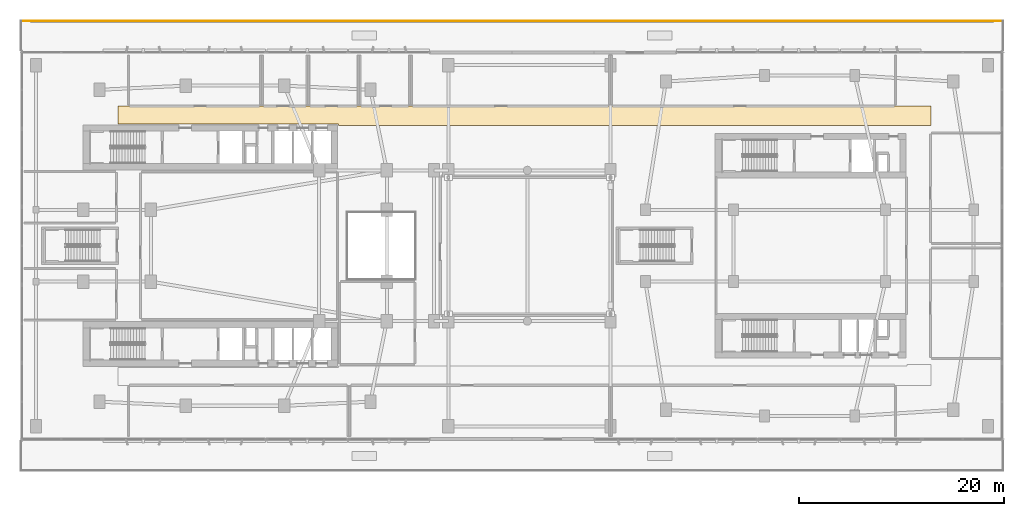
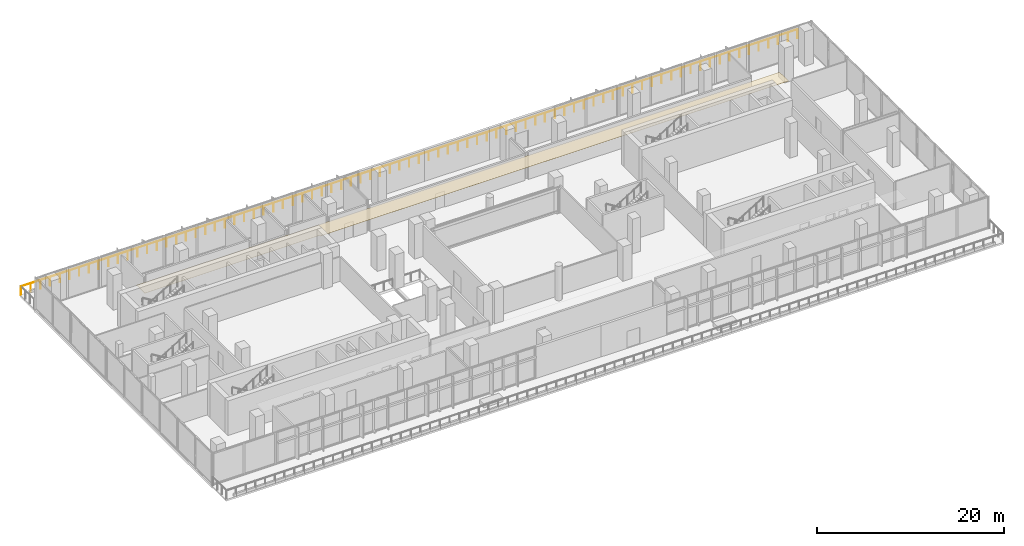
# One storey, part 27 of 31: 1 covering, 1 railing.
"""IFC4 building model written with IfcOpenShell, lengths in metres."""

from ifc_helpers import new_model, si_unit, derived_unit, direction, frame, origin, origin_2d, place, context, subcontext, project, spatial, polyline, circle, outline, extrude, material, layer, layer_set, type_object, element, save


model = new_model("IFC4")

# Units and contexts
model_context = context("Model", 3, precision=1e-05, world=origin(), true_north=direction((0.0, 1.0)))
body_context = subcontext(model_context, "Body", "Model", "MODEL_VIEW")
ifc_project = project(units=[si_unit("LENGTHUNIT", "METRE"), si_unit("AREAUNIT", "SQUARE_METRE"), si_unit("VOLUMEUNIT", "CUBIC_METRE"), si_unit("PLANEANGLEUNIT", "RADIAN"), si_unit("MASSUNIT", "GRAM", prefix="KILO"), derived_unit("THERMALTRANSMITTANCEUNIT", [(si_unit("POWERUNIT", "WATT"), 1), (si_unit("LENGTHUNIT", "METRE"), -2), (si_unit("THERMODYNAMICTEMPERATUREUNIT", "KELVIN"), -1)])], contexts=[model_context])

# Site, building, storey
site_placement = place(None, origin())
site = spatial("IfcSite", under=ifc_project, at=site_placement, CompositionType="ELEMENT")
building_placement = place(site_placement, origin())
building = spatial("IfcBuilding", under=site, at=building_placement, Name="Kivonza Crest Hotel", CompositionType="ELEMENT")
storey_placement = place(building_placement, frame((0.0, 0.0, 15.0)))
storey = spatial("IfcBuildingStorey", under=building, at=storey_placement, Name="L03", CompositionType="ELEMENT", Elevation=15.0)

# Covering
ifc_material_1 = material(Name="Mineral-fibre acoustic ceiling tile", Category="gypsum")
ifc_layer = layer(ifc_material_1, 0.02490234375)
ifc_layer_set = layer_set([ifc_layer], Name="Mineral-fibre acoustic ceiling tile")
covering_type = type_object("IfcCoveringType", Name="CV-CEIL-ACOU", PredefinedType="CEILING", material=ifc_layer_set)
covering_placement = place(storey_placement, frame((0.0, 0.0, 3.0)))
element("IfcCovering", 1, at=covering_placement, inside=storey, type_object=covering_type, Name="L03 L03 North and West Podium Corridor suspended ceiling", PredefinedType="CEILING", context=body_context, shape_type="SweptSolid", body=[
    extrude(outline(polyline([(88.840087890625, 38.639892578125), (9.610107421875, 38.639892578125), (9.610107421875, 36.860107421875), (31.10009765625, 36.860107421875), (31.10009765625, 36.719970703125), (88.840087890625, 36.719970703125), (88.840087890625, 38.639892578125)])), origin(), (0.0, 0.0, 1.0), 0.02490234375),
])

# Railing
ifc_material_2 = material(Name="Laminated glass and stainless steel balustrade", Category="steel")
railing_type = type_object("IfcRailingType", Name="RL-TERR-1150", PredefinedType="BALUSTRADE", material=ifc_material_2)
railing_placement = place(storey_placement, frame((0.159912109375, 46.919921875, 0.0)))
element("IfcRailing", 2, at=railing_placement, inside=storey, type_object=railing_type, Name="L03 POD-L03-T2 perimeter safety balustrade 2", PredefinedType="BALUSTRADE", context=body_context, shape_type="SweptSolid", body=[
    extrude(circle(Radius=0.02392578125, at=origin_2d()), frame((0.0, 0.0, 1.1259765625), z_axis=(1.0, 0.0, 0.0), x_axis=(0.0, 1.0, 0.0)), (0.0, 0.0, 1.0), 95.68017578125),
    extrude(circle(Radius=0.02099609375, at=origin_2d()), origin(), (0.0, 0.0, 1.0), 1.101806640625),
    extrude(circle(Radius=0.02099609375, at=origin_2d()), frame((1.196044921875, 0.0, 0.0)), (0.0, 0.0, 1.0), 1.101806640625),
    extrude(circle(Radius=0.02099609375, at=origin_2d()), frame((2.39208984375, 0.0, 0.0)), (0.0, 0.0, 1.0), 1.101806640625),
    extrude(circle(Radius=0.02099609375, at=origin_2d()), frame((3.587890625, 0.0, 0.0)), (0.0, 0.0, 1.0), 1.101806640625),
    extrude(circle(Radius=0.02099609375, at=origin_2d()), frame((4.783935546875, 0.0, 0.0)), (0.0, 0.0, 1.0), 1.101806640625),
    extrude(circle(Radius=0.02099609375, at=origin_2d()), frame((5.97998046875, 0.0, 0.0)), (0.0, 0.0, 1.0), 1.101806640625),
    extrude(circle(Radius=0.02099609375, at=origin_2d()), frame((7.176025390625, 0.0, 0.0)), (0.0, 0.0, 1.0), 1.101806640625),
    extrude(circle(Radius=0.02099609375, at=origin_2d()), frame((8.3720703125, 0.0, 0.0)), (0.0, 0.0, 1.0), 1.101806640625),
    extrude(circle(Radius=0.02099609375, at=origin_2d()), frame((9.568115234375, 0.0, 0.0)), (0.0, 0.0, 1.0), 1.101806640625),
    extrude(circle(Radius=0.02099609375, at=origin_2d()), frame((10.763916015625, 0.0, 0.0)), (0.0, 0.0, 1.0), 1.101806640625),
    extrude(circle(Radius=0.02099609375, at=origin_2d()), frame((11.9599609375, 0.0, 0.0)), (0.0, 0.0, 1.0), 1.101806640625),
    extrude(circle(Radius=0.02099609375, at=origin_2d()), frame((13.156005859375, 0.0, 0.0)), (0.0, 0.0, 1.0), 1.101806640625),
    extrude(circle(Radius=0.02099609375, at=origin_2d()), frame((14.35205078125, 0.0, 0.0)), (0.0, 0.0, 1.0), 1.101806640625),
    extrude(circle(Radius=0.02099609375, at=origin_2d()), frame((15.548095703125, 0.0, 0.0)), (0.0, 0.0, 1.0), 1.101806640625),
    extrude(circle(Radius=0.02099609375, at=origin_2d()), frame((16.744140625, 0.0, 0.0)), (0.0, 0.0, 1.0), 1.101806640625),
    extrude(circle(Radius=0.02099609375, at=origin_2d()), frame((17.93994140625, 0.0, 0.0)), (0.0, 0.0, 1.0), 1.101806640625),
    extrude(circle(Radius=0.02099609375, at=origin_2d()), frame((19.135986328125, 0.0, 0.0)), (0.0, 0.0, 1.0), 1.101806640625),
    extrude(circle(Radius=0.02099609375, at=origin_2d()), frame((20.33203125, 0.0, 0.0)), (0.0, 0.0, 1.0), 1.101806640625),
    extrude(circle(Radius=0.02099609375, at=origin_2d()), frame((21.528076171875, 0.0, 0.0)), (0.0, 0.0, 1.0), 1.101806640625),
    extrude(circle(Radius=0.02099609375, at=origin_2d()), frame((22.72412109375, 0.0, 0.0)), (0.0, 0.0, 1.0), 1.101806640625),
    extrude(circle(Radius=0.02099609375, at=origin_2d()), frame((23.919921875, 0.0, 0.0)), (0.0, 0.0, 1.0), 1.101806640625),
    extrude(circle(Radius=0.02099609375, at=origin_2d()), frame((25.115966796875, 0.0, 0.0)), (0.0, 0.0, 1.0), 1.101806640625),
    extrude(circle(Radius=0.02099609375, at=origin_2d()), frame((26.31201171875, 0.0, 0.0)), (0.0, 0.0, 1.0), 1.101806640625),
    extrude(circle(Radius=0.02099609375, at=origin_2d()), frame((27.508056640625, 0.0, 0.0)), (0.0, 0.0, 1.0), 1.101806640625),
    extrude(circle(Radius=0.02099609375, at=origin_2d()), frame((28.7041015625, 0.0, 0.0)), (0.0, 0.0, 1.0), 1.101806640625),
    extrude(circle(Radius=0.02099609375, at=origin_2d()), frame((29.900146484375, 0.0, 0.0)), (0.0, 0.0, 1.0), 1.101806640625),
    extrude(circle(Radius=0.02099609375, at=origin_2d()), frame((31.095947265625, 0.0, 0.0)), (0.0, 0.0, 1.0), 1.101806640625),
    extrude(circle(Radius=0.02099609375, at=origin_2d()), frame((32.2919921875, 0.0, 0.0)), (0.0, 0.0, 1.0), 1.101806640625),
    extrude(circle(Radius=0.02099609375, at=origin_2d()), frame((33.488037109375, 0.0, 0.0)), (0.0, 0.0, 1.0), 1.101806640625),
    extrude(circle(Radius=0.02099609375, at=origin_2d()), frame((34.68408203125, 0.0, 0.0)), (0.0, 0.0, 1.0), 1.101806640625),
    extrude(circle(Radius=0.02099609375, at=origin_2d()), frame((35.880126953125, 0.0, 0.0)), (0.0, 0.0, 1.0), 1.101806640625),
    extrude(circle(Radius=0.02099609375, at=origin_2d()), frame((37.076171875, 0.0, 0.0)), (0.0, 0.0, 1.0), 1.101806640625),
    extrude(circle(Radius=0.02099609375, at=origin_2d()), frame((38.27197265625, 0.0, 0.0)), (0.0, 0.0, 1.0), 1.101806640625),
    extrude(circle(Radius=0.02099609375, at=origin_2d()), frame((39.468017578125, 0.0, 0.0)), (0.0, 0.0, 1.0), 1.101806640625),
    extrude(circle(Radius=0.02099609375, at=origin_2d()), frame((40.6640625, 0.0, 0.0)), (0.0, 0.0, 1.0), 1.101806640625),
    extrude(circle(Radius=0.02099609375, at=origin_2d()), frame((41.860107421875, 0.0, 0.0)), (0.0, 0.0, 1.0), 1.101806640625),
    extrude(circle(Radius=0.02099609375, at=origin_2d()), frame((43.05615234375, 0.0, 0.0)), (0.0, 0.0, 1.0), 1.101806640625),
    extrude(circle(Radius=0.02099609375, at=origin_2d()), frame((44.252197265625, 0.0, 0.0)), (0.0, 0.0, 1.0), 1.101806640625),
    extrude(circle(Radius=0.02099609375, at=origin_2d()), frame((45.447998046875, 0.0, 0.0)), (0.0, 0.0, 1.0), 1.101806640625),
    extrude(circle(Radius=0.02099609375, at=origin_2d()), frame((46.64404296875, 0.0, 0.0)), (0.0, 0.0, 1.0), 1.101806640625),
    extrude(circle(Radius=0.02099609375, at=origin_2d()), frame((47.840087890625, 0.0, 0.0)), (0.0, 0.0, 1.0), 1.101806640625),
    extrude(circle(Radius=0.02099609375, at=origin_2d()), frame((49.0361328125, 0.0, 0.0)), (0.0, 0.0, 1.0), 1.101806640625),
    extrude(circle(Radius=0.02099609375, at=origin_2d()), frame((50.232177734375, 0.0, 0.0)), (0.0, 0.0, 1.0), 1.101806640625),
    extrude(circle(Radius=0.02099609375, at=origin_2d()), frame((51.427978515625, 0.0, 0.0)), (0.0, 0.0, 1.0), 1.101806640625),
    extrude(circle(Radius=0.02099609375, at=origin_2d()), frame((52.6240234375, 0.0, 0.0)), (0.0, 0.0, 1.0), 1.101806640625),
    extrude(circle(Radius=0.02099609375, at=origin_2d()), frame((53.820068359375, 0.0, 0.0)), (0.0, 0.0, 1.0), 1.101806640625),
    extrude(circle(Radius=0.02099609375, at=origin_2d()), frame((55.01611328125, 0.0, 0.0)), (0.0, 0.0, 1.0), 1.101806640625),
    extrude(circle(Radius=0.02099609375, at=origin_2d()), frame((56.212158203125, 0.0, 0.0)), (0.0, 0.0, 1.0), 1.101806640625),
    extrude(circle(Radius=0.02099609375, at=origin_2d()), frame((57.408203125, 0.0, 0.0)), (0.0, 0.0, 1.0), 1.101806640625),
    extrude(circle(Radius=0.02099609375, at=origin_2d()), frame((58.60400390625, 0.0, 0.0)), (0.0, 0.0, 1.0), 1.101806640625),
    extrude(circle(Radius=0.02099609375, at=origin_2d()), frame((59.800048828125, 0.0, 0.0)), (0.0, 0.0, 1.0), 1.101806640625),
    extrude(circle(Radius=0.02099609375, at=origin_2d()), frame((60.99609375, 0.0, 0.0)), (0.0, 0.0, 1.0), 1.101806640625),
    extrude(circle(Radius=0.02099609375, at=origin_2d()), frame((62.192138671875, 0.0, 0.0)), (0.0, 0.0, 1.0), 1.101806640625),
    extrude(circle(Radius=0.02099609375, at=origin_2d()), frame((63.38818359375, 0.0, 0.0)), (0.0, 0.0, 1.0), 1.101806640625),
    extrude(circle(Radius=0.02099609375, at=origin_2d()), frame((64.584228515625, 0.0, 0.0)), (0.0, 0.0, 1.0), 1.101806640625),
    extrude(circle(Radius=0.02099609375, at=origin_2d()), frame((65.780029296875, 0.0, 0.0)), (0.0, 0.0, 1.0), 1.101806640625),
    extrude(circle(Radius=0.02099609375, at=origin_2d()), frame((66.97607421875, 0.0, 0.0)), (0.0, 0.0, 1.0), 1.101806640625),
    extrude(circle(Radius=0.02099609375, at=origin_2d()), frame((68.172119140625, 0.0, 0.0)), (0.0, 0.0, 1.0), 1.101806640625),
    extrude(circle(Radius=0.02099609375, at=origin_2d()), frame((69.3681640625, 0.0, 0.0)), (0.0, 0.0, 1.0), 1.101806640625),
    extrude(circle(Radius=0.02099609375, at=origin_2d()), frame((70.564208984375, 0.0, 0.0)), (0.0, 0.0, 1.0), 1.101806640625),
    extrude(circle(Radius=0.02099609375, at=origin_2d()), frame((71.76025390625, 0.0, 0.0)), (0.0, 0.0, 1.0), 1.101806640625),
    extrude(circle(Radius=0.02099609375, at=origin_2d()), frame((72.9560546875, 0.0, 0.0)), (0.0, 0.0, 1.0), 1.101806640625),
    extrude(circle(Radius=0.02099609375, at=origin_2d()), frame((74.152099609375, 0.0, 0.0)), (0.0, 0.0, 1.0), 1.101806640625),
    extrude(circle(Radius=0.02099609375, at=origin_2d()), frame((75.34814453125, 0.0, 0.0)), (0.0, 0.0, 1.0), 1.101806640625),
    extrude(circle(Radius=0.02099609375, at=origin_2d()), frame((76.544189453125, 0.0, 0.0)), (0.0, 0.0, 1.0), 1.101806640625),
    extrude(circle(Radius=0.02099609375, at=origin_2d()), frame((77.740234375, 0.0, 0.0)), (0.0, 0.0, 1.0), 1.101806640625),
    extrude(circle(Radius=0.02099609375, at=origin_2d()), frame((78.93603515625, 0.0, 0.0)), (0.0, 0.0, 1.0), 1.101806640625),
    extrude(circle(Radius=0.02099609375, at=origin_2d()), frame((80.132080078125, 0.0, 0.0)), (0.0, 0.0, 1.0), 1.101806640625),
    extrude(circle(Radius=0.02099609375, at=origin_2d()), frame((81.328125, 0.0, 0.0)), (0.0, 0.0, 1.0), 1.101806640625),
    extrude(circle(Radius=0.02099609375, at=origin_2d()), frame((82.524169921875, 0.0, 0.0)), (0.0, 0.0, 1.0), 1.101806640625),
    extrude(circle(Radius=0.02099609375, at=origin_2d()), frame((83.72021484375, 0.0, 0.0)), (0.0, 0.0, 1.0), 1.101806640625),
    extrude(circle(Radius=0.02099609375, at=origin_2d()), frame((84.916259765625, 0.0, 0.0)), (0.0, 0.0, 1.0), 1.101806640625),
    extrude(circle(Radius=0.02099609375, at=origin_2d()), frame((86.112060546875, 0.0, 0.0)), (0.0, 0.0, 1.0), 1.101806640625),
    extrude(circle(Radius=0.02099609375, at=origin_2d()), frame((87.30810546875, 0.0, 0.0)), (0.0, 0.0, 1.0), 1.101806640625),
    extrude(circle(Radius=0.02099609375, at=origin_2d()), frame((88.504150390625, 0.0, 0.0)), (0.0, 0.0, 1.0), 1.101806640625),
    extrude(circle(Radius=0.02099609375, at=origin_2d()), frame((89.7001953125, 0.0, 0.0)), (0.0, 0.0, 1.0), 1.101806640625),
    extrude(circle(Radius=0.02099609375, at=origin_2d()), frame((90.896240234375, 0.0, 0.0)), (0.0, 0.0, 1.0), 1.101806640625),
    extrude(circle(Radius=0.02099609375, at=origin_2d()), frame((92.09228515625, 0.0, 0.0)), (0.0, 0.0, 1.0), 1.101806640625),
    extrude(circle(Radius=0.02099609375, at=origin_2d()), frame((93.2880859375, 0.0, 0.0)), (0.0, 0.0, 1.0), 1.101806640625),
    extrude(circle(Radius=0.02099609375, at=origin_2d()), frame((94.484130859375, 0.0, 0.0)), (0.0, 0.0, 1.0), 1.101806640625),
    extrude(circle(Radius=0.02099609375, at=origin_2d()), frame((95.68017578125, 0.0, 0.0)), (0.0, 0.0, 1.0), 1.101806640625),
])

save(model, "model.ifc")
